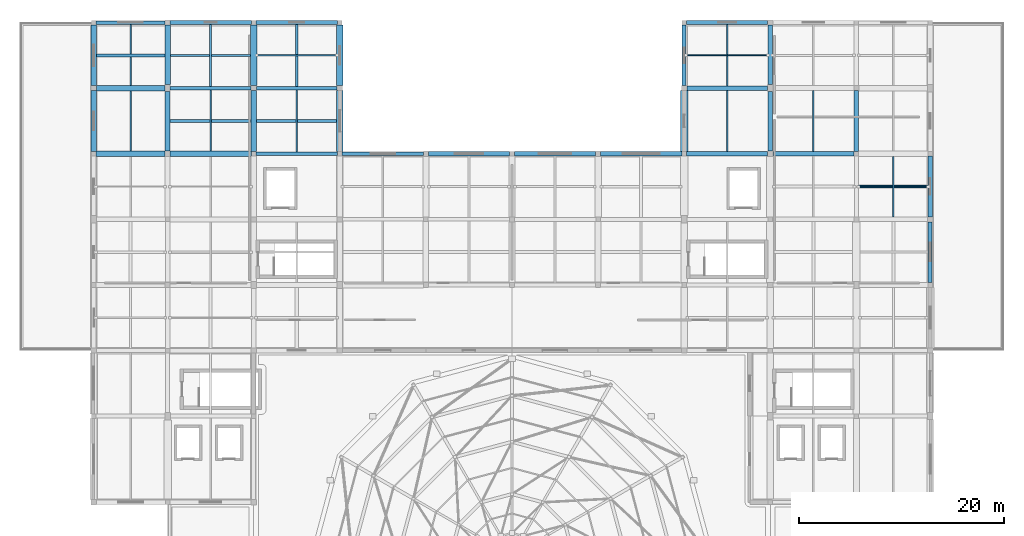
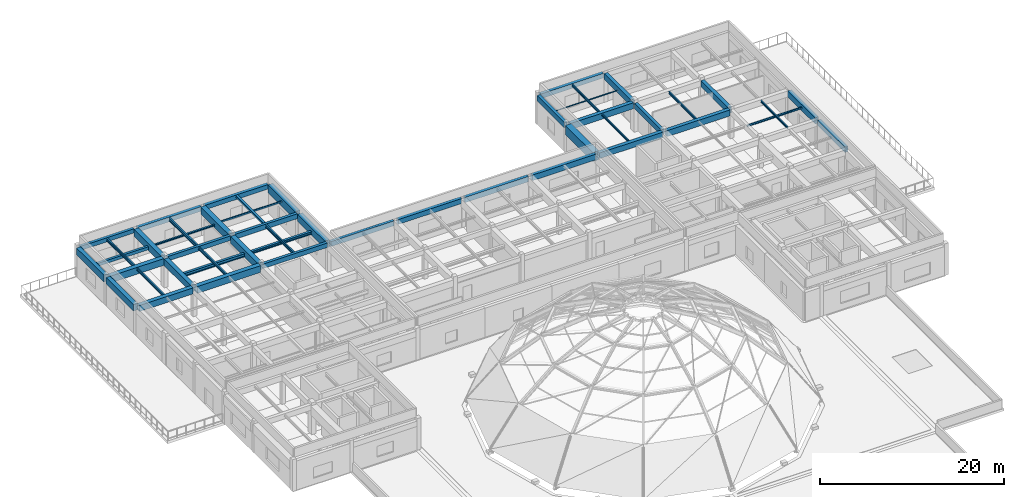
# One storey, part 7 of 18: 46 beams, 3 members.
"""IFC4 building model written with IfcOpenShell, lengths in metres."""

from ifc_helpers import new_model, si_unit, direction, frame, origin, origin_2d, place, context, subcontext, project, spatial, rectangle, hollow_rectangle, hollow_circle, i_section, extrude, material, material_profile, profile_set, type_object, element, save


model = new_model("IFC4")

# Units and contexts
model_context = context("Model", 3, precision=1e-05, world=origin(), true_north=direction((0.0, 1.0)))
body_context = subcontext(model_context, "Body", "Model", "MODEL_VIEW")
ifc_project = project(units=[si_unit("LENGTHUNIT", "METRE"), si_unit("AREAUNIT", "SQUARE_METRE"), si_unit("VOLUMEUNIT", "CUBIC_METRE"), si_unit("PLANEANGLEUNIT", "RADIAN"), si_unit("MASSUNIT", "GRAM", prefix="KILO")], contexts=[model_context])

# Site, building, storey
site_placement = place(None, origin())
site = spatial("IfcSite", under=ifc_project, at=site_placement, CompositionType="ELEMENT")
building_placement = place(site_placement, origin())
building = spatial("IfcBuilding", under=site, at=building_placement, Name="Korsvaeld Concert Hall", CompositionType="ELEMENT")
storey_placement = place(building_placement, frame((0.0, 0.0, 17.39990234375)))
storey = spatial("IfcBuildingStorey", under=building, at=storey_placement, Name="L04", CompositionType="ELEMENT", Elevation=17.39990234375)

# Beams
ifc_material_1 = material(Name="Concrete C35/45", Category="concrete")
ifc_material_profile_1 = material_profile(ifc_material_1, rectangle(XDim=0.300048828125, YDim=0.39990234375, at=origin_2d()), Name="RC 300x400")
ifc_profile_set_1 = profile_set([ifc_material_profile_1], Name="Concrete C35/45")
beam_type_1 = type_object("IfcBeamType", Name="BM-LN-300x400", PredefinedType="LINTEL", material=ifc_profile_set_1)
beam_1_placement = place(storey_placement, frame((43.449951171875, 112.0, 3.2001953125), z_axis=(1.0, 0.0, 0.0), x_axis=(0.0, 1.0, 0.0)))
element("IfcBeam", 1, at=beam_1_placement, inside=storey, type_object=beam_type_1, Name="Artists wing roof purlin tie 31", PredefinedType="LINTEL", context=body_context, shape_type="SweptSolid", body=[
    extrude(rectangle(XDim=0.300048828125, YDim=0.39990234375, at=origin_2d()), origin(), (0.0, 0.0, 1.0), 6.675048828125),
])
ifc_material_2 = material(Name="Steel S355J2", Category="steel")
ifc_material_profile_2 = material_profile(ifc_material_2, i_section(OverallWidth=0.199951171875, OverallDepth=0.18994140625, WebThickness=0.006591796875, FlangeThickness=0.010009765625, FilletRadius=0.01806640625, at=origin_2d()), Name="HEA 200")
ifc_profile_set_2 = profile_set([ifc_material_profile_2], Name="Steel S355J2")
beam_type_2 = type_object("IfcBeamType", Name="BM-LN-HEA200", PredefinedType="LINTEL", material=ifc_profile_set_2)
beam_2_placement = place(storey_placement, frame((50.675048828125, 112.0, 3.255126953125), z_axis=(1.0, 0.0, 0.0), x_axis=(0.0, 1.0, 0.0)))
element("IfcBeam", 2, at=beam_2_placement, inside=storey, type_object=beam_type_2, Name="Artists wing roof purlin tie 32", PredefinedType="LINTEL", context=body_context, shape_type="SweptSolid", body=[
    extrude(i_section(OverallWidth=0.199951171875, OverallDepth=0.18994140625, WebThickness=0.006591796875, FlangeThickness=0.010009765625, FilletRadius=0.01806640625, at=origin_2d()), origin(), (0.0, 0.0, 1.0), 7.824951171875),
])
ifc_material_profile_3 = material_profile(ifc_material_1, rectangle(XDim=0.35009765625, YDim=0.60009765625, at=origin_2d()), Name="RC 350x600")
ifc_profile_set_3 = profile_set([ifc_material_profile_3], Name="Concrete C35/45")
beam_type_3 = type_object("IfcBeamType", Name="BM-RC-350x600", PredefinedType="T_BEAM", material=ifc_profile_set_3)
beam_3_placement = place(storey_placement, frame((59.02490234375, 102.39990234375, 3.5400390625), z_axis=(1.0, 0.0, 0.0), x_axis=(0.0, 1.0, 0.0)))
element("IfcBeam", 3, at=beam_3_placement, inside=storey, type_object=beam_type_3, Name="Primary girder 9-10/Q L04", PredefinedType="T_BEAM", context=body_context, shape_type="SweptSolid", body=[
    extrude(rectangle(XDim=0.35009765625, YDim=0.60009765625, at=origin_2d()), origin(), (0.0, 0.0, 1.0), 7.9501953125),
])
beam_4_placement = place(storey_placement, frame((50.64990234375, 108.800048828125, 3.5400390625), z_axis=(1.0, 0.0, 0.0), x_axis=(0.0, 1.0, 0.0)))
element("IfcBeam", 4, at=beam_4_placement, inside=storey, type_object=beam_type_3, Name="Primary girder 8-9/R L04", PredefinedType="T_BEAM", context=body_context, shape_type="SweptSolid", body=[
    extrude(rectangle(XDim=0.35009765625, YDim=0.60009765625, at=origin_2d()), origin(), (0.0, 0.0, 1.0), 7.900146484375),
])
ifc_material_profile_4 = material_profile(ifc_material_1, rectangle(XDim=0.35009765625, YDim=0.64990234375, at=origin_2d()), Name="RC 350x650")
ifc_profile_set_4 = profile_set([ifc_material_profile_4], Name="Concrete C35/45")
beam_type_4 = type_object("IfcBeamType", Name="BM-RC-350x650", PredefinedType="T_BEAM", material=ifc_profile_set_4)
beam_5_placement = place(storey_placement, frame((67.425048828125, 102.39990234375, 3.51513671875), z_axis=(1.0, 0.0, 0.0), x_axis=(0.0, 1.0, 0.0)))
element("IfcBeam", 5, at=beam_5_placement, inside=storey, type_object=beam_type_4, Name="Primary girder 10-11/Q L04", PredefinedType="T_BEAM", context=body_context, shape_type="SweptSolid", body=[
    extrude(rectangle(XDim=0.35009765625, YDim=0.64990234375, at=origin_2d()), origin(), (0.0, 0.0, 1.0), 7.925048828125),
])
beam_6_placement = place(storey_placement, frame((59.050048828125, 108.800048828125, 3.51513671875), z_axis=(1.0, 0.0, 0.0), x_axis=(0.0, 1.0, 0.0)))
element("IfcBeam", 6, at=beam_6_placement, inside=storey, type_object=beam_type_4, Name="Primary girder 9-10/R L04", PredefinedType="T_BEAM", context=body_context, shape_type="SweptSolid", body=[
    extrude(rectangle(XDim=0.35009765625, YDim=0.64990234375, at=origin_2d()), origin(), (0.0, 0.0, 1.0), 7.89990234375),
])
ifc_material_profile_5 = material_profile(ifc_material_1, rectangle(XDim=0.39990234375, YDim=0.64990234375, at=origin_2d()), Name="RC 400x650")
ifc_profile_set_5 = profile_set([ifc_material_profile_5], Name="Concrete C35/45")
beam_type_5 = type_object("IfcBeamType", Name="BM-RC-400x650", PredefinedType="T_BEAM", material=ifc_profile_set_5)
beam_7_placement = place(storey_placement, frame((75.85009765625, 102.39990234375, 3.51513671875), z_axis=(1.0, 0.0, 0.0), x_axis=(0.0, 1.0, 0.0)))
element("IfcBeam", 7, at=beam_7_placement, inside=storey, type_object=beam_type_5, Name="Primary girder 11-12/Q L04", PredefinedType="T_BEAM", context=body_context, shape_type="SweptSolid", body=[
    extrude(rectangle(XDim=0.39990234375, YDim=0.64990234375, at=origin_2d()), origin(), (0.0, 0.0, 1.0), 7.9248046875),
])
ifc_material_profile_6 = material_profile(ifc_material_1, rectangle(XDim=0.39990234375, YDim=0.699951171875, at=origin_2d()), Name="RC 400x700")
ifc_profile_set_6 = profile_set([ifc_material_profile_6], Name="Concrete C35/45")
beam_type_6 = type_object("IfcBeamType", Name="BM-RC-400x700", PredefinedType="T_BEAM", material=ifc_profile_set_6)
beam_8_placement = place(storey_placement, frame((84.22509765625, 102.39990234375, 3.489990234375), z_axis=(1.0, 0.0, 0.0), x_axis=(0.0, 1.0, 0.0)))
element("IfcBeam", 8, at=beam_8_placement, inside=storey, type_object=beam_type_6, Name="Primary girder 12-13/Q L04", PredefinedType="T_BEAM", context=body_context, shape_type="SweptSolid", body=[
    extrude(rectangle(XDim=0.39990234375, YDim=0.699951171875, at=origin_2d()), origin(), (0.0, 0.0, 1.0), 7.9248046875),
])
beam_9_placement = place(storey_placement, frame((100.800048828125, 109.050048828125, 3.489990234375), z_axis=(0.0, 1.0, 0.0), x_axis=(-1.0, 0.0, 0.0)))
element("IfcBeam", 9, at=beam_9_placement, inside=storey, type_object=beam_type_6, Name="Primary girder 14/R-S L04", PredefinedType="T_BEAM", context=body_context, shape_type="SweptSolid", body=[
    extrude(rectangle(XDim=0.39990234375, YDim=0.699951171875, at=origin_2d()), origin(), (0.0, 0.0, 1.0), 5.925048828125),
])
beam_10_placement = place(storey_placement, frame((109.199951171875, 102.64990234375, 3.489990234375), z_axis=(0.0, 1.0, 0.0), x_axis=(-1.0, 0.0, 0.0)))
element("IfcBeam", 10, at=beam_10_placement, inside=storey, type_object=beam_type_6, Name="Primary girder 15/Q-R L04", PredefinedType="T_BEAM", context=body_context, shape_type="SweptSolid", body=[
    extrude(rectangle(XDim=0.39990234375, YDim=0.699951171875, at=origin_2d()), origin(), (0.0, 0.0, 1.0), 5.800048828125),
])
beam_11_placement = place(storey_placement, frame((124.800048828125, 89.824951171875, 3.489990234375), z_axis=(0.0, 1.0, 0.0), x_axis=(-1.0, 0.0, 0.0)))
element("IfcBeam", 11, at=beam_11_placement, inside=storey, type_object=beam_type_6, Name="Primary girder 17/N-P L04", PredefinedType="T_BEAM", context=body_context, shape_type="SweptSolid", body=[
    extrude(rectangle(XDim=0.39990234375, YDim=0.699951171875, at=origin_2d()), origin(), (0.0, 0.0, 1.0), 5.925048828125),
])
ifc_material_profile_7 = material_profile(ifc_material_1, rectangle(XDim=0.39990234375, YDim=0.75, at=origin_2d()), Name="RC 400x750")
ifc_profile_set_7 = profile_set([ifc_material_profile_7], Name="Concrete C35/45")
beam_type_7 = type_object("IfcBeamType", Name="BM-RC-400x750", PredefinedType="T_BEAM", material=ifc_profile_set_7)
beam_12_placement = place(storey_placement, frame((92.64990234375, 102.39990234375, 3.465087890625), z_axis=(1.0, 0.0, 0.0), x_axis=(0.0, 1.0, 0.0)))
element("IfcBeam", 12, at=beam_12_placement, inside=storey, type_object=beam_type_7, Name="Primary girder 13-14/Q L04", PredefinedType="T_BEAM", context=body_context, shape_type="SweptSolid", body=[
    extrude(rectangle(XDim=0.39990234375, YDim=0.75, at=origin_2d()), origin(), (0.0, 0.0, 1.0), 7.925048828125),
])
ifc_material_profile_8 = material_profile(ifc_material_1, rectangle(XDim=0.449951171875, YDim=0.75, at=origin_2d()), Name="RC 450x750")
ifc_profile_set_8 = profile_set([ifc_material_profile_8], Name="Concrete C35/45")
beam_type_8 = type_object("IfcBeamType", Name="BM-RC-450x750", PredefinedType="T_BEAM", material=ifc_profile_set_8)
beam_13_placement = place(storey_placement, frame((101.02490234375, 102.39990234375, 3.465087890625), z_axis=(1.0, 0.0, 0.0), x_axis=(0.0, 1.0, 0.0)))
element("IfcBeam", 13, at=beam_13_placement, inside=storey, type_object=beam_type_8, Name="Primary girder 14-15/Q L04", PredefinedType="T_BEAM", context=body_context, shape_type="SweptSolid", body=[
    extrude(rectangle(XDim=0.449951171875, YDim=0.75, at=origin_2d()), origin(), (0.0, 0.0, 1.0), 7.925048828125),
])
ifc_material_profile_9 = material_profile(ifc_material_1, rectangle(XDim=0.449951171875, YDim=0.800048828125, at=origin_2d()), Name="RC 450x800")
ifc_profile_set_9 = profile_set([ifc_material_profile_9], Name="Concrete C35/45")
beam_type_9 = type_object("IfcBeamType", Name="BM-RC-450x800", PredefinedType="T_BEAM", material=ifc_profile_set_9)
beam_14_placement = place(storey_placement, frame((109.449951171875, 102.39990234375, 3.440185546875), z_axis=(1.0, 0.0, 0.0), x_axis=(0.0, 1.0, 0.0)))
element("IfcBeam", 14, at=beam_14_placement, inside=storey, type_object=beam_type_9, Name="Primary girder 15-16/Q L04", PredefinedType="T_BEAM", context=body_context, shape_type="SweptSolid", body=[
    extrude(rectangle(XDim=0.449951171875, YDim=0.800048828125, at=origin_2d()), origin(), (0.0, 0.0, 1.0), 7.925048828125),
])
beam_15_placement = place(storey_placement, frame((101.050048828125, 108.800048828125, 3.440185546875), z_axis=(1.0, 0.0, 0.0), x_axis=(0.0, 1.0, 0.0)))
element("IfcBeam", 15, at=beam_15_placement, inside=storey, type_object=beam_type_9, Name="Primary girder 14-15/R L04", PredefinedType="T_BEAM", context=body_context, shape_type="SweptSolid", body=[
    extrude(rectangle(XDim=0.449951171875, YDim=0.800048828125, at=origin_2d()), origin(), (0.0, 0.0, 1.0), 7.89990234375),
])
beam_16_placement = place(storey_placement, frame((109.199951171875, 109.14990234375, 3.440185546875), z_axis=(0.0, 1.0, 0.0), x_axis=(-1.0, 0.0, 0.0)))
element("IfcBeam", 16, at=beam_16_placement, inside=storey, type_object=beam_type_9, Name="Primary girder 15/R-S L04", PredefinedType="T_BEAM", context=body_context, shape_type="SweptSolid", body=[
    extrude(rectangle(XDim=0.449951171875, YDim=0.800048828125, at=origin_2d()), origin(), (0.0, 0.0, 1.0), 5.800048828125),
])
for number, where, z_axis, x_axis, name in (
    (17, (117.60009765625, 102.625, 3.440185546875), (0.0, 1.0, 0.0), (-1.0, 0.0, 0.0), "Primary girder 16/Q-R L04"),
    (18, (124.800048828125, 96.25, 3.440185546875), (0.0, 1.0, 0.0), (-1.0, 0.0, 0.0), "Primary girder 17/P-Q L04"),
):
    element("IfcBeam", number, at=place(storey_placement, frame(where, z_axis=z_axis, x_axis=x_axis)), inside=storey, type_object=beam_type_9, Name=name, PredefinedType="T_BEAM", context=body_context, shape_type="SweptSolid", body=[
        extrude(rectangle(XDim=0.449951171875, YDim=0.800048828125, at=origin_2d()), origin(), (0.0, 0.0, 1.0), 5.925048828125),
    ])
ifc_material_3 = material(Name="Concrete C40/50", Category="concrete")
ifc_material_profile_10 = material_profile(ifc_material_3, rectangle(XDim=0.5, YDim=0.800048828125, at=origin_2d()), Name="RC 500x800")
ifc_profile_set_10 = profile_set([ifc_material_profile_10], Name="Concrete C40/50")
beam_type_10 = type_object("IfcBeamType", Name="BM-RC-500x800", PredefinedType="T_BEAM", material=ifc_profile_set_10)
beam_17_placement = place(storey_placement, frame((43.425048828125, 102.39990234375, 3.440185546875), z_axis=(1.0, 0.0, 0.0), x_axis=(0.0, 1.0, 0.0)))
element("IfcBeam", 19, at=beam_17_placement, inside=storey, type_object=beam_type_10, Name="Primary girder 7-8/Q L04", PredefinedType="T_BEAM", context=body_context, shape_type="SweptSolid", body=[
    extrude(rectangle(XDim=0.5, YDim=0.800048828125, at=origin_2d()), origin(), (0.0, 0.0, 1.0), 6.724853515625),
])
ifc_material_profile_11 = material_profile(ifc_material_3, rectangle(XDim=0.5, YDim=0.85009765625, at=origin_2d()), Name="RC 500x850")
ifc_profile_set_11 = profile_set([ifc_material_profile_11], Name="Concrete C40/50")
beam_type_11 = type_object("IfcBeamType", Name="BM-RC-500x850", PredefinedType="T_BEAM", material=ifc_profile_set_11)
beam_18_placement = place(storey_placement, frame((43.199951171875, 102.625, 3.4150390625), z_axis=(0.0, 1.0, 0.0), x_axis=(-1.0, 0.0, 0.0)))
element("IfcBeam", 20, at=beam_18_placement, inside=storey, type_object=beam_type_11, Name="Primary girder 7/Q-R L04", PredefinedType="T_BEAM", context=body_context, shape_type="SweptSolid", body=[
    extrude(rectangle(XDim=0.5, YDim=0.85009765625, at=origin_2d()), origin(), (0.0, 0.0, 1.0), 5.925048828125),
])
ifc_material_profile_12 = material_profile(ifc_material_3, rectangle(XDim=0.5, YDim=0.89990234375, at=origin_2d()), Name="RC 500x900")
ifc_profile_set_12 = profile_set([ifc_material_profile_12], Name="Concrete C40/50")
beam_type_12 = type_object("IfcBeamType", Name="BM-RC-500x900", PredefinedType="T_BEAM", material=ifc_profile_set_12)
beam_19_placement = place(storey_placement, frame((43.199951171875, 109.050048828125, 3.39013671875), z_axis=(0.0, 1.0, 0.0), x_axis=(-1.0, 0.0, 0.0)))
element("IfcBeam", 21, at=beam_19_placement, inside=storey, type_object=beam_type_12, Name="Primary girder 7/R-S L04", PredefinedType="T_BEAM", context=body_context, shape_type="SweptSolid", body=[
    extrude(rectangle(XDim=0.5, YDim=0.89990234375, at=origin_2d()), origin(), (0.0, 0.0, 1.0), 5.925048828125),
])
beam_20_placement = place(storey_placement, frame((50.39990234375, 102.64990234375, 3.39013671875), z_axis=(0.0, 1.0, 0.0), x_axis=(-1.0, 0.0, 0.0)))
element("IfcBeam", 22, at=beam_20_placement, inside=storey, type_object=beam_type_12, Name="Primary girder 8/Q-R L04", PredefinedType="T_BEAM", context=body_context, shape_type="SweptSolid", body=[
    extrude(rectangle(XDim=0.5, YDim=0.89990234375, at=origin_2d()), origin(), (0.0, 0.0, 1.0), 5.800048828125),
])
ifc_material_profile_13 = material_profile(ifc_material_3, rectangle(XDim=0.550048828125, YDim=0.89990234375, at=origin_2d()), Name="RC 550x900")
ifc_profile_set_13 = profile_set([ifc_material_profile_13], Name="Concrete C40/50")
beam_type_13 = type_object("IfcBeamType", Name="BM-RC-550x900", PredefinedType="T_BEAM", material=ifc_profile_set_13)
beam_21_placement = place(storey_placement, frame((50.64990234375, 102.39990234375, 3.39013671875), z_axis=(1.0, 0.0, 0.0), x_axis=(0.0, 1.0, 0.0)))
element("IfcBeam", 23, at=beam_21_placement, inside=storey, type_object=beam_type_13, Name="Primary girder 8-9/Q L04", PredefinedType="T_BEAM", context=body_context, shape_type="SweptSolid", body=[
    extrude(rectangle(XDim=0.550048828125, YDim=0.89990234375, at=origin_2d()), origin(), (0.0, 0.0, 1.0), 7.925048828125),
])
beam_22_placement = place(storey_placement, frame((43.449951171875, 108.800048828125, 3.39013671875), z_axis=(1.0, 0.0, 0.0), x_axis=(0.0, 1.0, 0.0)))
element("IfcBeam", 24, at=beam_22_placement, inside=storey, type_object=beam_type_13, Name="Primary girder 7-8/R L04", PredefinedType="T_BEAM", context=body_context, shape_type="SweptSolid", body=[
    extrude(rectangle(XDim=0.550048828125, YDim=0.89990234375, at=origin_2d()), origin(), (0.0, 0.0, 1.0), 6.699951171875),
])
ifc_material_profile_14 = material_profile(ifc_material_3, rectangle(XDim=0.550048828125, YDim=0.949951171875, at=origin_2d()), Name="RC 550x950")
ifc_profile_set_14 = profile_set([ifc_material_profile_14], Name="Concrete C40/50")
beam_type_14 = type_object("IfcBeamType", Name="BM-RC-550x950", PredefinedType="T_BEAM", material=ifc_profile_set_14)
beam_23_placement = place(storey_placement, frame((50.39990234375, 109.14990234375, 3.364990234375), z_axis=(0.0, 1.0, 0.0), x_axis=(-1.0, 0.0, 0.0)))
element("IfcBeam", 25, at=beam_23_placement, inside=storey, type_object=beam_type_14, Name="Primary girder 8/R-S L04", PredefinedType="T_BEAM", context=body_context, shape_type="SweptSolid", body=[
    extrude(rectangle(XDim=0.550048828125, YDim=0.949951171875, at=origin_2d()), origin(), (0.0, 0.0, 1.0), 5.800048828125),
])
beam_24_placement = place(storey_placement, frame((58.800048828125, 102.625, 3.364990234375), z_axis=(0.0, 1.0, 0.0), x_axis=(-1.0, 0.0, 0.0)))
element("IfcBeam", 26, at=beam_24_placement, inside=storey, type_object=beam_type_14, Name="Primary girder 9/Q-R L04", PredefinedType="T_BEAM", context=body_context, shape_type="SweptSolid", body=[
    extrude(rectangle(XDim=0.550048828125, YDim=0.949951171875, at=origin_2d()), origin(), (0.0, 0.0, 1.0), 5.925048828125),
])
ifc_material_profile_15 = material_profile(ifc_material_3, rectangle(XDim=0.60009765625, YDim=1.050048828125, at=origin_2d()), Name="RC 600x1050")
ifc_profile_set_15 = profile_set([ifc_material_profile_15], Name="Concrete C40/50")
beam_type_15 = type_object("IfcBeamType", Name="BM-RC-600x1050", PredefinedType="T_BEAM", material=ifc_profile_set_15)
beam_25_placement = place(storey_placement, frame((67.199951171875, 109.050048828125, 3.315185546875), z_axis=(0.0, 1.0, 0.0), x_axis=(-1.0, 0.0, 0.0)))
element("IfcBeam", 27, at=beam_25_placement, inside=storey, type_object=beam_type_15, Name="Primary girder 10/R-S L04", PredefinedType="T_BEAM", context=body_context, shape_type="SweptSolid", body=[
    extrude(rectangle(XDim=0.60009765625, YDim=1.050048828125, at=origin_2d()), origin(), (0.0, 0.0, 1.0), 5.925048828125),
])
ifc_material_profile_16 = material_profile(ifc_material_3, rectangle(XDim=0.60009765625, YDim=0.949951171875, at=origin_2d()), Name="RC 600x950")
ifc_profile_set_16 = profile_set([ifc_material_profile_16], Name="Concrete C40/50")
beam_type_16 = type_object("IfcBeamType", Name="BM-RC-600x950", PredefinedType="T_BEAM", material=ifc_profile_set_16)
for number, where, z_axis, x_axis, name in (
    (28, (58.800048828125, 109.050048828125, 3.364990234375), (0.0, 1.0, 0.0), (-1.0, 0.0, 0.0), "Primary girder 9/R-S L04"),
    (29, (67.199951171875, 102.625, 3.364990234375), (0.0, 1.0, 0.0), (-1.0, 0.0, 0.0), "Primary girder 10/Q-R L04"),
):
    element("IfcBeam", number, at=place(storey_placement, frame(where, z_axis=z_axis, x_axis=x_axis)), inside=storey, type_object=beam_type_16, Name=name, PredefinedType="T_BEAM", context=body_context, shape_type="SweptSolid", body=[
        extrude(rectangle(XDim=0.60009765625, YDim=0.949951171875, at=origin_2d()), origin(), (0.0, 0.0, 1.0), 5.925048828125),
    ])
ifc_material_profile_17 = material_profile(ifc_material_3, rectangle(XDim=0.75, YDim=1.199951171875, at=origin_2d()), Name="RC 750x1200")
ifc_profile_set_17 = profile_set([ifc_material_profile_17], Name="Concrete C40/50")
beam_type_17 = type_object("IfcBeamType", Name="BM-RC-750x1200", PredefinedType="T_BEAM", material=ifc_profile_set_17)
beam_26_placement = place(storey_placement, frame((100.800048828125, 102.625, 3.239990234375), z_axis=(0.0, 1.0, 0.0), x_axis=(-1.0, 0.0, 0.0)))
element("IfcBeam", 30, at=beam_26_placement, inside=storey, type_object=beam_type_17, Name="Primary girder 14/Q-R L04", PredefinedType="T_BEAM", context=body_context, shape_type="SweptSolid", body=[
    extrude(rectangle(XDim=0.75, YDim=1.199951171875, at=origin_2d()), origin(), (0.0, 0.0, 1.0), 5.925048828125),
])
ifc_material_profile_18 = material_profile(ifc_material_1, rectangle(XDim=0.35009765625, YDim=0.550048828125, at=origin_2d()), Name="RC 350x550")
ifc_profile_set_18 = profile_set([ifc_material_profile_18], Name="Concrete C35/45")
beam_type_18 = type_object("IfcBeamType", Name="BM-SP-350x550", PredefinedType="SPANDREL", material=ifc_profile_set_18)
beam_27_placement = place(storey_placement, frame((43.425048828125, 115.199951171875, 3.565185546875), z_axis=(1.0, 0.0, 0.0), x_axis=(0.0, 1.0, 0.0)))
element("IfcBeam", 31, at=beam_27_placement, inside=storey, type_object=beam_type_18, Name="Primary girder 7-8/S L04", PredefinedType="SPANDREL", context=body_context, shape_type="SweptSolid", body=[
    extrude(rectangle(XDim=0.35009765625, YDim=0.550048828125, at=origin_2d()), origin(), (0.0, 0.0, 1.0), 6.724853515625),
])
ifc_material_profile_19 = material_profile(ifc_material_1, rectangle(XDim=0.39990234375, YDim=0.60009765625, at=origin_2d()), Name="RC 400x600")
ifc_profile_set_19 = profile_set([ifc_material_profile_19], Name="Concrete C35/45")
beam_type_19 = type_object("IfcBeamType", Name="BM-SP-400x600", PredefinedType="SPANDREL", material=ifc_profile_set_19)
beam_28_placement = place(storey_placement, frame((50.64990234375, 115.199951171875, 3.5400390625), z_axis=(1.0, 0.0, 0.0), x_axis=(0.0, 1.0, 0.0)))
element("IfcBeam", 32, at=beam_28_placement, inside=storey, type_object=beam_type_19, Name="Primary girder 8-9/S L04", PredefinedType="SPANDREL", context=body_context, shape_type="SweptSolid", body=[
    extrude(rectangle(XDim=0.39990234375, YDim=0.60009765625, at=origin_2d()), origin(), (0.0, 0.0, 1.0), 7.925048828125),
])
beam_29_placement = place(storey_placement, frame((59.02490234375, 115.199951171875, 3.5400390625), z_axis=(1.0, 0.0, 0.0), x_axis=(0.0, 1.0, 0.0)))
element("IfcBeam", 33, at=beam_29_placement, inside=storey, type_object=beam_type_19, Name="Primary girder 9-10/S L04", PredefinedType="SPANDREL", context=body_context, shape_type="SweptSolid", body=[
    extrude(rectangle(XDim=0.39990234375, YDim=0.60009765625, at=origin_2d()), origin(), (0.0, 0.0, 1.0), 7.9501953125),
])
beam_30_placement = place(storey_placement, frame((101.02490234375, 115.199951171875, 3.5400390625), z_axis=(1.0, 0.0, 0.0), x_axis=(0.0, 1.0, 0.0)))
element("IfcBeam", 34, at=beam_30_placement, inside=storey, type_object=beam_type_19, Name="Primary girder 14-15/S L04", PredefinedType="SPANDREL", context=body_context, shape_type="SweptSolid", body=[
    extrude(rectangle(XDim=0.39990234375, YDim=0.60009765625, at=origin_2d()), origin(), (0.0, 0.0, 1.0), 7.925048828125),
])
ifc_material_profile_20 = material_profile(ifc_material_2, i_section(OverallWidth=0.280029296875, OverallDepth=0.27001953125, WebThickness=0.008056640625, FlangeThickness=0.012939453125, FilletRadius=0.02392578125, at=origin_2d()), Name="HEA 280")
ifc_profile_set_20 = profile_set([ifc_material_profile_20], Name="Steel S355J2")
beam_type_20 = type_object("IfcBeamType", Name="BM-STL-HEA280", PredefinedType="BEAM", material=ifc_profile_set_20)
beam_31_placement = place(storey_placement, frame((63.0, 108.97509765625, 3.705078125), z_axis=(0.0, 1.0, 0.0), x_axis=(-1.0, 0.0, 0.0)))
element("IfcBeam", 35, at=beam_31_placement, inside=storey, type_object=beam_type_20, Name="Secondary steel floor beam 9-10/R L04", PredefinedType="BEAM", context=body_context, shape_type="SweptSolid", body=[
    extrude(i_section(OverallWidth=0.280029296875, OverallDepth=0.27001953125, WebThickness=0.008056640625, FlangeThickness=0.012939453125, FilletRadius=0.02392578125, at=origin_2d()), origin(), (0.0, 0.0, 1.0), 6.02490234375),
])
ifc_material_profile_21 = material_profile(ifc_material_2, i_section(OverallWidth=0.300048828125, OverallDepth=0.43994140625, WebThickness=0.011474609375, FlangeThickness=0.02099609375, FilletRadius=0.027099609375, at=origin_2d()), Name="HEA 450")
ifc_profile_set_21 = profile_set([ifc_material_profile_21], Name="Steel S355J2")
beam_type_21 = type_object("IfcBeamType", Name="BM-STL-HEA450", PredefinedType="USERDEFINED", material=ifc_profile_set_21)
beam_32_placement = place(storey_placement, frame((50.64990234375, 105.60009765625, 3.22021484375), z_axis=(1.0, 0.0, 0.0), x_axis=(0.0, 1.0, 0.0)))
element("IfcBeam", 36, at=beam_32_placement, inside=storey, type_object=beam_type_21, Name="Artists wing roof purlin tie 26", ObjectType="GIRDER", PredefinedType="USERDEFINED", context=body_context, shape_type="SweptSolid", body=[
    extrude(i_section(OverallWidth=0.300048828125, OverallDepth=0.43994140625, WebThickness=0.011474609375, FlangeThickness=0.02099609375, FilletRadius=0.027099609375, at=origin_2d()), origin(), (0.0, 0.0, 1.0), 7.875),
])
ifc_material_profile_22 = material_profile(ifc_material_2, i_section(OverallWidth=0.300048828125, OverallDepth=0.360107421875, WebThickness=0.012451171875, FlangeThickness=0.0224609375, FilletRadius=0.027099609375, at=origin_2d()), Name="HEB 360")
ifc_profile_set_22 = profile_set([ifc_material_profile_22], Name="Steel S355J2")
beam_type_22 = type_object("IfcBeamType", Name="BM-STL-HEB360", PredefinedType="USERDEFINED", material=ifc_profile_set_22)
beam_33_placement = place(storey_placement, frame((59.074951171875, 105.60009765625, 3.22021484375), z_axis=(1.0, 0.0, 0.0), x_axis=(0.0, 1.0, 0.0)))
element("IfcBeam", 37, at=beam_33_placement, inside=storey, type_object=beam_type_22, Name="Artists wing roof purlin tie 27", ObjectType="GIRDER", PredefinedType="USERDEFINED", context=body_context, shape_type="SweptSolid", body=[
    extrude(i_section(OverallWidth=0.300048828125, OverallDepth=0.360107421875, WebThickness=0.012451171875, FlangeThickness=0.0224609375, FilletRadius=0.027099609375, at=origin_2d()), origin(), (0.0, 0.0, 1.0), 7.824951171875),
])
ifc_material_profile_23 = material_profile(ifc_material_2, i_section(OverallWidth=0.135009765625, OverallDepth=0.27001953125, WebThickness=0.006591796875, FlangeThickness=0.01025390625, FilletRadius=0.014892578125, at=origin_2d()), Name="IPE 270")
ifc_profile_set_23 = profile_set([ifc_material_profile_23], Name="Steel S355J2")
beam_type_23 = type_object("IfcBeamType", Name="BM-STL-IPE270", PredefinedType="JOIST", material=ifc_profile_set_23)
beam_34_placement = place(storey_placement, frame((105.0, 102.625, 3.705078125), z_axis=(0.0, 1.0, 0.0), x_axis=(-1.0, 0.0, 0.0)))
element("IfcBeam", 38, at=beam_34_placement, inside=storey, type_object=beam_type_23, Name="Secondary steel floor beam 14-15/Q L04", PredefinedType="JOIST", context=body_context, shape_type="SweptSolid", body=[
    extrude(i_section(OverallWidth=0.135009765625, OverallDepth=0.27001953125, WebThickness=0.006591796875, FlangeThickness=0.01025390625, FilletRadius=0.014892578125, at=origin_2d()), origin(), (0.0, 0.0, 1.0), 5.949951171875),
])
beam_35_placement = place(storey_placement, frame((121.199951171875, 96.22509765625, 3.705078125), z_axis=(0.0, 1.0, 0.0), x_axis=(-1.0, 0.0, 0.0)))
element("IfcBeam", 39, at=beam_35_placement, inside=storey, type_object=beam_type_23, Name="Secondary steel floor beam 16-17/P L04", PredefinedType="JOIST", context=body_context, shape_type="SweptSolid", body=[
    extrude(i_section(OverallWidth=0.135009765625, OverallDepth=0.27001953125, WebThickness=0.006591796875, FlangeThickness=0.01025390625, FilletRadius=0.014892578125, at=origin_2d()), origin(), (0.0, 0.0, 1.0), 5.9248046875),
])
ifc_material_profile_24 = material_profile(ifc_material_2, i_section(OverallWidth=0.14990234375, OverallDepth=0.300048828125, WebThickness=0.007080078125, FlangeThickness=0.0107421875, FilletRadius=0.014892578125, at=origin_2d()), Name="IPE 300")
ifc_profile_set_24 = profile_set([ifc_material_profile_24], Name="Steel S355J2")
beam_type_24 = type_object("IfcBeamType", Name="BM-STL-IPE300", PredefinedType="JOIST", material=ifc_profile_set_24)
beam_36_placement = place(storey_placement, frame((113.39990234375, 102.625, 3.690185546875), z_axis=(0.0, 1.0, 0.0), x_axis=(-1.0, 0.0, 0.0)))
element("IfcBeam", 40, at=beam_36_placement, inside=storey, type_object=beam_type_24, Name="Secondary steel floor beam 15-16/Q L04", PredefinedType="JOIST", context=body_context, shape_type="SweptSolid", body=[
    extrude(i_section(OverallWidth=0.14990234375, OverallDepth=0.300048828125, WebThickness=0.007080078125, FlangeThickness=0.0107421875, FilletRadius=0.014892578125, at=origin_2d()), origin(), (0.0, 0.0, 1.0), 5.925048828125),
])
ifc_material_profile_25 = material_profile(ifc_material_2, i_section(OverallWidth=0.159912109375, OverallDepth=0.330078125, WebThickness=0.007568359375, FlangeThickness=0.011474609375, FilletRadius=0.01806640625, at=origin_2d()), Name="IPE 330")
ifc_profile_set_25 = profile_set([ifc_material_profile_25], Name="Steel S355J2")
beam_type_25 = type_object("IfcBeamType", Name="BM-STL-IPE330", PredefinedType="BEAM", material=ifc_profile_set_25)
beam_37_placement = place(storey_placement, frame((46.800048828125, 102.64990234375, 3.675048828125), z_axis=(0.0, 1.0, 0.0), x_axis=(-1.0, 0.0, 0.0)))
element("IfcBeam", 41, at=beam_37_placement, inside=storey, type_object=beam_type_25, Name="Secondary steel floor beam 7-8/Q L04", PredefinedType="BEAM", context=body_context, shape_type="SweptSolid", body=[
    extrude(i_section(OverallWidth=0.159912109375, OverallDepth=0.330078125, WebThickness=0.007568359375, FlangeThickness=0.011474609375, FilletRadius=0.01806640625, at=origin_2d()), origin(), (0.0, 0.0, 1.0), 5.875),
])
beam_38_placement = place(storey_placement, frame((105.0, 109.02490234375, 3.675048828125), z_axis=(0.0, 1.0, 0.0), x_axis=(-1.0, 0.0, 0.0)))
element("IfcBeam", 42, at=beam_38_placement, inside=storey, type_object=beam_type_25, Name="Secondary steel floor beam 14-15/R L04", PredefinedType="BEAM", context=body_context, shape_type="SweptSolid", body=[
    extrude(i_section(OverallWidth=0.159912109375, OverallDepth=0.330078125, WebThickness=0.007568359375, FlangeThickness=0.011474609375, FilletRadius=0.01806640625, at=origin_2d()), origin(), (0.0, 0.0, 1.0), 5.97509765625),
])
ifc_material_profile_26 = material_profile(ifc_material_2, i_section(OverallWidth=0.169921875, OverallDepth=0.360107421875, WebThickness=0.008056640625, FlangeThickness=0.0126953125, FilletRadius=0.01806640625, at=origin_2d()), Name="IPE 360")
ifc_profile_set_26 = profile_set([ifc_material_profile_26], Name="Steel S355J2")
beam_type_26 = type_object("IfcBeamType", Name="BM-STL-IPE360", PredefinedType="BEAM", material=ifc_profile_set_26)
beam_39_placement = place(storey_placement, frame((54.60009765625, 102.675048828125, 3.66015625), z_axis=(0.0, 1.0, 0.0), x_axis=(-1.0, 0.0, 0.0)))
element("IfcBeam", 43, at=beam_39_placement, inside=storey, type_object=beam_type_26, Name="Secondary steel floor beam 8-9/Q L04", PredefinedType="BEAM", context=body_context, shape_type="SweptSolid", body=[
    extrude(i_section(OverallWidth=0.169921875, OverallDepth=0.360107421875, WebThickness=0.008056640625, FlangeThickness=0.0126953125, FilletRadius=0.01806640625, at=origin_2d()), origin(), (0.0, 0.0, 1.0), 5.949951171875),
])
ifc_material_profile_27 = material_profile(ifc_material_2, i_section(OverallWidth=0.179931640625, OverallDepth=0.39990234375, WebThickness=0.008544921875, FlangeThickness=0.013427734375, FilletRadius=0.02099609375, at=origin_2d()), Name="IPE 400")
ifc_profile_set_27 = profile_set([ifc_material_profile_27], Name="Steel S355J2")
beam_type_27 = type_object("IfcBeamType", Name="BM-STL-IPE400", PredefinedType="BEAM", material=ifc_profile_set_27)
beam_40_placement = place(storey_placement, frame((46.800048828125, 109.074951171875, 3.64013671875), z_axis=(0.0, 1.0, 0.0), x_axis=(-1.0, 0.0, 0.0)))
element("IfcBeam", 44, at=beam_40_placement, inside=storey, type_object=beam_type_27, Name="Secondary steel floor beam 7-8/R L04", PredefinedType="BEAM", context=body_context, shape_type="SweptSolid", body=[
    extrude(i_section(OverallWidth=0.179931640625, OverallDepth=0.39990234375, WebThickness=0.008544921875, FlangeThickness=0.013427734375, FilletRadius=0.02099609375, at=origin_2d()), origin(), (0.0, 0.0, 1.0), 5.949951171875),
])
beam_41_placement = place(storey_placement, frame((63.0, 102.574951171875, 3.64013671875), z_axis=(0.0, 1.0, 0.0), x_axis=(-1.0, 0.0, 0.0)))
element("IfcBeam", 45, at=beam_41_placement, inside=storey, type_object=beam_type_27, Name="Secondary steel floor beam 9-10/Q L04", PredefinedType="BEAM", context=body_context, shape_type="SweptSolid", body=[
    extrude(i_section(OverallWidth=0.179931640625, OverallDepth=0.39990234375, WebThickness=0.008544921875, FlangeThickness=0.013427734375, FilletRadius=0.02099609375, at=origin_2d()), origin(), (0.0, 0.0, 1.0), 6.050048828125),
])
ifc_material_profile_28 = material_profile(ifc_material_2, i_section(OverallWidth=0.18994140625, OverallDepth=0.449951171875, WebThickness=0.009521484375, FlangeThickness=0.0146484375, FilletRadius=0.02099609375, at=origin_2d()), Name="IPE 450")
ifc_profile_set_28 = profile_set([ifc_material_profile_28], Name="Steel S355J2")
beam_type_28 = type_object("IfcBeamType", Name="BM-STL-IPE450", PredefinedType="BEAM", material=ifc_profile_set_28)
beam_42_placement = place(storey_placement, frame((54.60009765625, 108.97509765625, 3.614990234375), z_axis=(0.0, 1.0, 0.0), x_axis=(-1.0, 0.0, 0.0)))
element("IfcBeam", 46, at=beam_42_placement, inside=storey, type_object=beam_type_28, Name="Secondary steel floor beam 8-9/R L04", PredefinedType="BEAM", context=body_context, shape_type="SweptSolid", body=[
    extrude(i_section(OverallWidth=0.18994140625, OverallDepth=0.449951171875, WebThickness=0.009521484375, FlangeThickness=0.0146484375, FilletRadius=0.02099609375, at=origin_2d()), origin(), (0.0, 0.0, 1.0), 6.02490234375),
])

# Members
ifc_material_profile_29 = material_profile(ifc_material_2, hollow_circle(Radius=0.136474609375, WallThickness=0.012451171875, at=origin_2d()), Name="CHS 273x12.5")
ifc_profile_set_29 = profile_set([ifc_material_profile_29], Name="Steel S355J2")
member_type_1 = type_object("IfcMemberType", Name="MEM-BRC-CHS273", PredefinedType="BRACE", material=ifc_profile_set_29)
member_1_placement = place(storey_placement, frame((117.800048828125, 99.199951171875, 3.3935546875), z_axis=(1.0, 0.0, 0.0), x_axis=(0.0, 1.0, 0.0)))
element("IfcMember", 47, at=member_1_placement, inside=storey, type_object=member_type_1, Name="Artists wing roof purlin tie 24", PredefinedType="BRACE", context=body_context, shape_type="SweptSolid", body=[
    extrude(hollow_circle(Radius=0.136474609375, WallThickness=0.012451171875, at=origin_2d()), origin(), (0.0, 0.0, 1.0), 6.77490234375),
])
ifc_material_profile_30 = material_profile(ifc_material_2, hollow_rectangle(XDim=0.080078125, YDim=0.1201171875, WallThickness=0.00634765625, at=origin_2d()), Name="RHS 120x80x6.3")
ifc_profile_set_30 = profile_set([ifc_material_profile_30], Name="Steel S355J2")
member_type_2 = type_object("IfcMemberType", Name="MEM-STR-RHS120", PredefinedType="STRUT", material=ifc_profile_set_30)
member_2_placement = place(storey_placement, frame((101.0, 112.0, 3.41015625), z_axis=(1.0, 0.0, 0.0), x_axis=(0.0, 1.0, 0.0)))
element("IfcMember", 48, at=member_2_placement, inside=storey, type_object=member_type_2, Name="Artists wing roof purlin tie 34", PredefinedType="STRUT", context=body_context, shape_type="SweptSolid", body=[
    extrude(hollow_rectangle(XDim=0.080078125, YDim=0.1201171875, WallThickness=0.00634765625, at=origin_2d()), origin(), (0.0, 0.0, 1.0), 7.97509765625),
])
ifc_material_profile_31 = material_profile(ifc_material_2, hollow_rectangle(XDim=0.1201171875, YDim=0.199951171875, WallThickness=0.010009765625, at=origin_2d()), Name="RHS 200x120x10")
ifc_profile_set_31 = profile_set([ifc_material_profile_31], Name="Steel S355J2")
member_type_3 = type_object("IfcMemberType", Name="MEM-STR-RHS200", PredefinedType="STRUT", material=ifc_profile_set_31)
member_3_placement = place(storey_placement, frame((59.10009765625, 112.0, 3.43017578125), z_axis=(1.0, 0.0, 0.0), x_axis=(0.0, 1.0, 0.0)))
element("IfcMember", 49, at=member_3_placement, inside=storey, type_object=member_type_3, Name="Artists wing roof purlin tie 33", PredefinedType="STRUT", context=body_context, shape_type="SweptSolid", body=[
    extrude(hollow_rectangle(XDim=0.1201171875, YDim=0.199951171875, WallThickness=0.010009765625, at=origin_2d()), origin(), (0.0, 0.0, 1.0), 7.7998046875),
])

save(model, "model.ifc")
